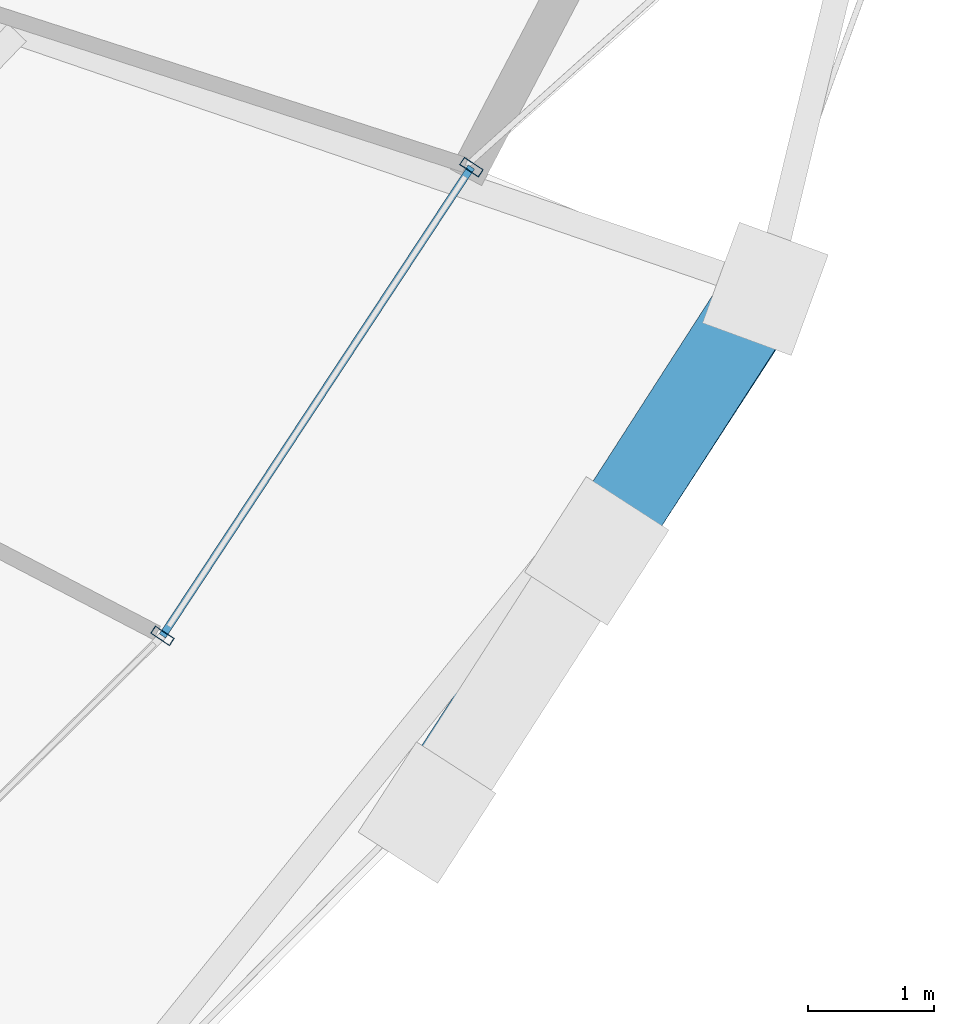
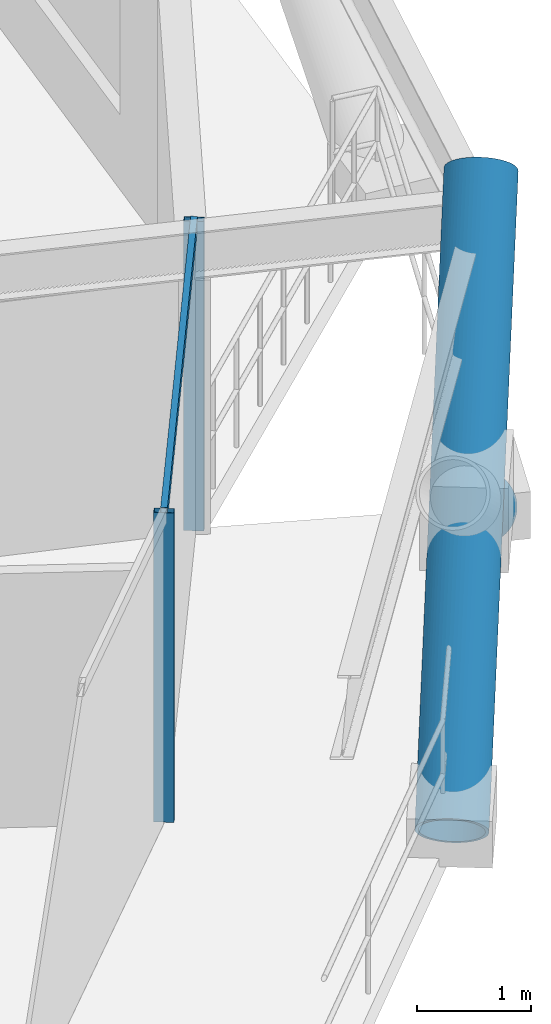
# One storey, part 10 of 19: 5 members, 1 element without a shape of its own.
"""IFC4 building model written with IfcOpenShell, lengths in metres."""

from ifc_helpers import new_model, si_unit, direction, frame, origin, origin_2d, place, context, subcontext, project, spatial, hollow_rectangle, hollow_circle, extrude, material, layer, layer_set, material_profile, profile_set, type_object, element, aggregate, save


model = new_model("IFC4")

# Units and contexts
model_context = context("Model", 3, precision=1e-05, world=origin(), true_north=direction((0.0, 1.0)))
body_context = subcontext(model_context, "Body", "Model", "MODEL_VIEW")
ifc_project = project(units=[si_unit("LENGTHUNIT", "METRE"), si_unit("AREAUNIT", "SQUARE_METRE"), si_unit("VOLUMEUNIT", "CUBIC_METRE"), si_unit("PLANEANGLEUNIT", "RADIAN"), si_unit("MASSUNIT", "GRAM", prefix="KILO")], contexts=[model_context])

# Site, building, storey
site_placement = place(None, origin())
site = spatial("IfcSite", under=ifc_project, at=site_placement, CompositionType="ELEMENT")
building_placement = place(site_placement, origin())
building = spatial("IfcBuilding", under=site, at=building_placement, Name="Veldorina Hangang Commons", CompositionType="ELEMENT")
storey_placement = place(building_placement, frame((0.0, 0.0, 77.199951171875)))
storey = spatial("IfcBuildingStorey", under=building, at=storey_placement, Name="L19", CompositionType="ELEMENT", Elevation=77.199951171875)

# Curtain wall, members
ifc_material_1 = material(Name="Glass Low-E Triple IGU", Category="glass")
ifc_layer = layer(ifc_material_1, 0.179931640625)
ifc_layer_set = layer_set([ifc_layer], Name="Glass Low-E Triple IGU")
curtain_wall_type = type_object("IfcCurtainWallType", Name="CW-SYS-Z1", PredefinedType="NOTDEFINED", material=ifc_layer_set)
curtain_wall_placement = place(storey_placement, origin())
curtain_wall = element("IfcCurtainWall", 1, at=curtain_wall_placement, inside=storey, type_object=curtain_wall_type, Name="L19 unitised curtain wall CW-L19-R2", PredefinedType="NOTDEFINED")
ifc_material_2 = material(Name="Aluminium Anodized AA6063-T6", Category="aluminium")
ifc_material_profile_1 = material_profile(ifc_material_2, hollow_rectangle(XDim=0.070068359375, YDim=0.179931640625, WallThickness=0.00390625, at=origin_2d()), Name="ALU-RHS-180x70x4")
ifc_profile_set_1 = profile_set([ifc_material_profile_1], Name="Aluminium Anodized AA6063-T6")
member_type_1 = type_object("IfcMemberType", Name="CW-MUL-180", PredefinedType="MULLION", material=ifc_profile_set_1)
member_1_placement = place(storey_placement, frame((54.009521484375, 12.071533203125, 0.0), z_axis=(0.0, 0.0, 1.0), x_axis=(0.550247585121, 0.835001553932, 0.0)))
member_1 = element("IfcMember", 2, at=member_1_placement, type_object=member_type_1, Name="CW-L19-R2 vertical mullion 4", PredefinedType="MULLION", context=body_context, shape_type="SweptSolid", body=[
    extrude(hollow_rectangle(XDim=0.070068359375, YDim=0.179931640625, WallThickness=0.00390625, at=origin_2d()), origin(), (0.0, 0.0, 1.0), 3.300048828125),
])
member_2_placement = place(storey_placement, frame((56.45556640625, 15.78369140625, 0.0), z_axis=(0.0, 0.0, 1.0), x_axis=(-0.550247585121, -0.835001553932, 0.0)))
member_2 = element("IfcMember", 3, at=member_2_placement, type_object=member_type_1, Name="CW-L19-R2 vertical mullion 5", PredefinedType="MULLION", context=body_context, shape_type="SweptSolid", body=[
    extrude(hollow_rectangle(XDim=0.070068359375, YDim=0.179931640625, WallThickness=0.00390625, at=origin_2d()), origin(), (0.0, 0.0, 1.0), 3.300048828125),
])
ifc_material_profile_2 = material_profile(ifc_material_2, hollow_rectangle(XDim=0.06005859375, YDim=0.139892578125, WallThickness=0.00341796875, at=origin_2d()), Name="ALU-RHS-140x60x3.5")
ifc_profile_set_2 = profile_set([ifc_material_profile_2], Name="Aluminium Anodized AA6063-T6")
member_type_2 = type_object("IfcMemberType", Name="CW-TRN-140", PredefinedType="USERDEFINED", material=ifc_profile_set_2)
member_3_placement = place(storey_placement, frame((54.009521484375, 12.071533203125, 3.260009765625), z_axis=(0.550218513654, 0.835020710661, 0.0), x_axis=(-0.835020710661, 0.550218513654, 0.0)))
member_3 = element("IfcMember", 4, at=member_3_placement, type_object=member_type_2, Name="CW-L19-R2 facet 5 transom 1", ObjectType="TRANSOM", PredefinedType="USERDEFINED", context=body_context, shape_type="SweptSolid", body=[
    extrude(hollow_rectangle(XDim=0.06005859375, YDim=0.139892578125, WallThickness=0.00341796875, at=origin_2d()), origin(), (0.0, 0.0, 1.0), 4.445556640625),
])
aggregate(curtain_wall, [member_1, member_2, member_3])

# Members
ifc_material_3 = material(Name="Steel SM460-TMC", Category="steel")
ifc_material_profile_3 = material_profile(ifc_material_3, hollow_circle(Radius=0.324951171875, WallThickness=0.031982421875, at=origin_2d()), Name="CHS-650x32")
ifc_profile_set_3 = profile_set([ifc_material_profile_3], Name="Steel SM460-TMC")
member_type_3 = type_object("IfcMemberType", Name="DG-CHS650", PredefinedType="BRACE", material=ifc_profile_set_3)
member_4_placement = place(storey_placement, frame((56.104736328125, 10.67138671875, 0.0), z_axis=(0.439729625566, 0.678028012897, 0.588995645253), x_axis=(-0.839002146673, 0.544128107966, 0.0)))
element("IfcMember", 5, at=member_4_placement, inside=storey, type_object=member_type_3, Name="L19 continuous perimeter diagrid brace 29", PredefinedType="BRACE", context=body_context, shape_type="SweptSolid", body=[
    extrude(hollow_circle(Radius=0.324951171875, WallThickness=0.031982421875, at=origin_2d()), origin(), (0.0, 0.0, 1.0), 6.1123046875),
])
member_5_placement = place(storey_placement, frame((58.78369140625, 14.819091796875, 0.0), z_axis=(-0.437090318534, -0.679571947065, 0.58918080604), x_axis=(0.841053115985, -0.540952545139, 0.0)))
element("IfcMember", 6, at=member_5_placement, inside=storey, type_object=member_type_3, Name="L19 split perimeter diagrid lower brace 30", PredefinedType="BRACE", context=body_context, shape_type="SweptSolid", body=[
    extrude(hollow_circle(Radius=0.324951171875, WallThickness=0.031982421875, at=origin_2d()), origin(), (0.0, 0.0, 1.0), 3.0546875),
])

save(model, "model.ifc")
